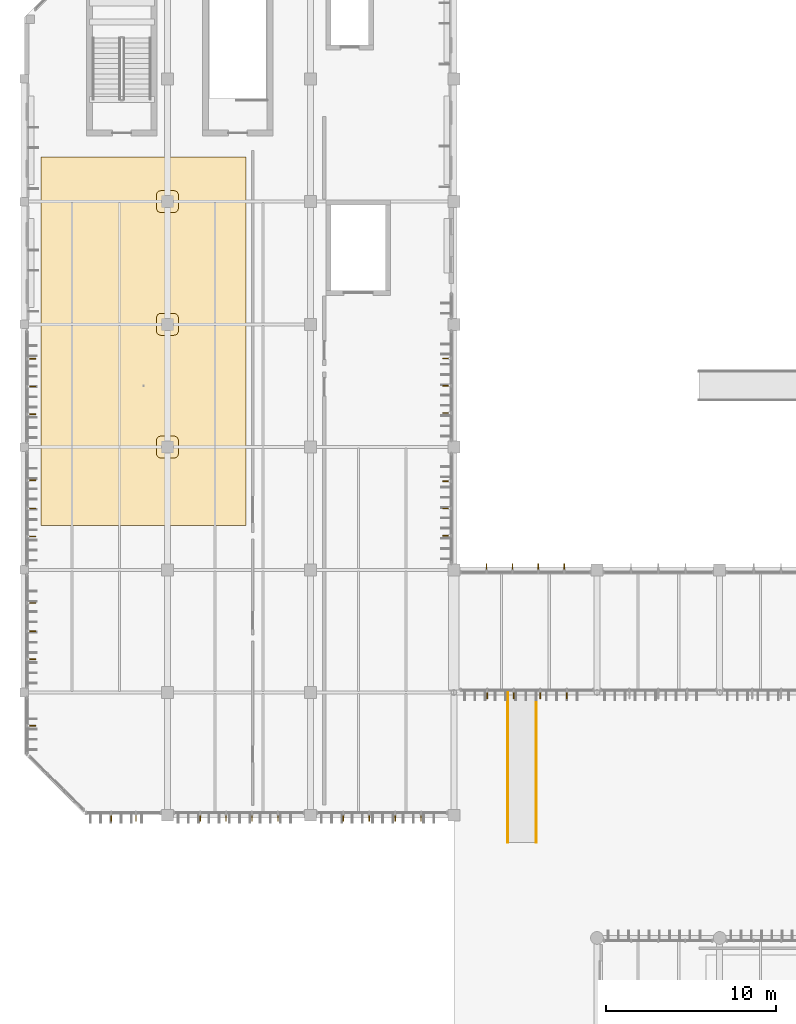
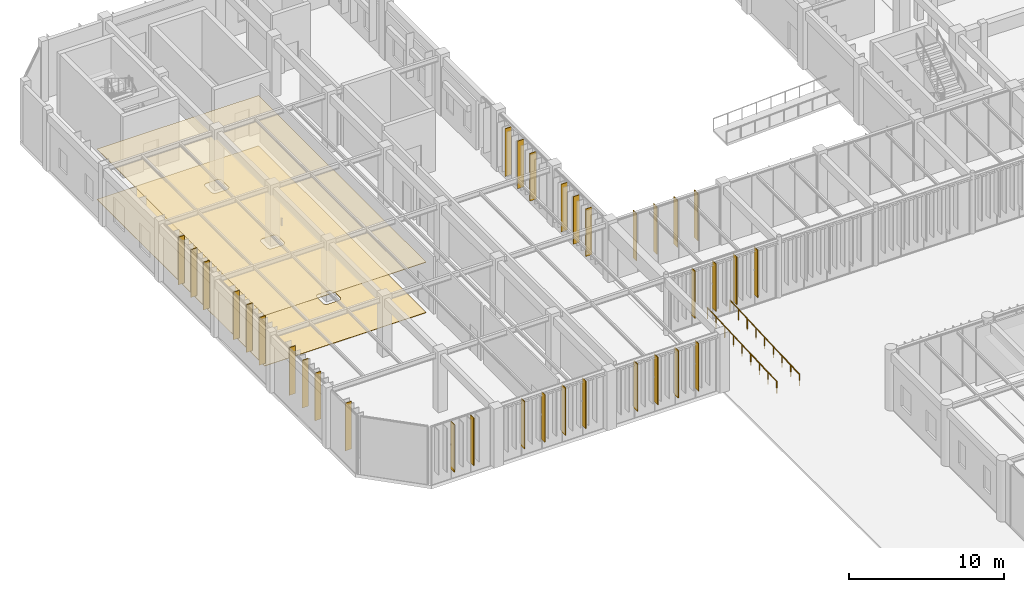
# One storey, part 107 of 122: 34 shading devices, 2 coverings, 2 railings.
"""IFC4 building model written with IfcOpenShell, lengths in metres."""

from ifc_helpers import new_model, si_unit, direction, frame, origin, origin_2d, place, context, subcontext, project, spatial, polyline, rectangle, circle, outline, extrude, material, layer, layer_set, material_profile, profile_set, type_object, element, save


model = new_model("IFC4")

# Units and contexts
model_context = context("Model", 3, precision=1e-05, world=origin(), true_north=direction((0.0, 1.0)))
body_context = subcontext(model_context, "Body", "Model", "MODEL_VIEW")
ifc_project = project(units=[si_unit("LENGTHUNIT", "METRE"), si_unit("AREAUNIT", "SQUARE_METRE"), si_unit("VOLUMEUNIT", "CUBIC_METRE"), si_unit("PLANEANGLEUNIT", "RADIAN"), si_unit("MASSUNIT", "GRAM", prefix="KILO")], contexts=[model_context])

# Site, building, storey
site_placement = place(None, origin())
site = spatial("IfcSite", under=ifc_project, at=site_placement, CompositionType="ELEMENT")
building_placement = place(site_placement, origin())
building = spatial("IfcBuilding", under=site, at=building_placement, Name="Tazoul Stagehouse", CompositionType="ELEMENT")
storey_placement = place(building_placement, origin())
storey = spatial("IfcBuildingStorey", under=building, at=storey_placement, Name="L00", CompositionType="ELEMENT", Elevation=0.0)

# Shading devices
ifc_material_1 = material(Name="Anodised Bronze Aluminium 6063-T6", Category="aluminium")
ifc_layer_1 = layer(ifc_material_1, 0.050048828125, Name="Anodised Bronze Aluminium 6063-T6")
ifc_layer_set_1 = layer_set([ifc_layer_1], Name="Anodised Bronze Aluminium 6063-T6")
shading_device_type_1 = type_object("IfcShadingDeviceType", Name="Angled Acoustic Sun-Screen Blade 460", PredefinedType="USERDEFINED", material=ifc_layer_set_1)
for number, where, z_axis, x_axis, name in (
    (1, (7.5, 37.27001953125, 0.75), (0.0, 0.0, 1.0), (1.0, 0.0, 0.0), "Shading Louvre FIN-02 CW-V6-S-L00-B1-SHD01"),
    (2, (12.719970703125, 37.27001953125, 0.75), (0.0, 0.0, 1.0), (1.0, 0.0, 0.0), "Shading Louvre FIN-02 CW-V6-S-L00-B2-SHD01"),
    (3, (15.760009765625, 37.27001953125, 0.75), (0.0, 0.0, 1.0), (1.0, 0.0, 0.0), "Shading Louvre FIN-02 CW-V6-S-L00-B2-SHD03"),
    (4, (21.1201171875, 37.27001953125, 0.75), (0.0, 0.0, 1.0), (1.0, 0.0, 0.0), "Shading Louvre FIN-02 CW-V6-S-L00-B3-SHD01"),
    (5, (24.159912109375, 37.27001953125, 0.75), (0.0, 0.0, 1.0), (1.0, 0.0, 0.0), "Shading Louvre FIN-02 CW-V6-S-L00-B3-SHD03"),
    (6, (2.830078125, 42.64990234375, 0.75), (0.0, 0.0, 1.0), (0.0, 1.0, 0.0), "Shading Louvre FIN-02 CW-V6-W1-L00-B1-SHD01"),
    (7, (2.830078125, 46.550048828125, 0.75), (0.0, 0.0, 1.0), (0.0, 1.0, 0.0), "Shading Louvre FIN-02 CW-V6-W1-L00-B2-SHD01"),
    (8, (2.830078125, 49.85009765625, 0.75), (0.0, 0.0, 1.0), (0.0, 1.0, 0.0), "Shading Louvre FIN-02 CW-V6-W1-L00-B2-SHD03"),
    (9, (2.830078125, 53.75, 0.75), (0.0, 0.0, 1.0), (0.0, 1.0, 0.0), "Shading Louvre FIN-02 CW-V6-W1-L00-B3-SHD01"),
    (10, (2.830078125, 57.050048828125, 0.75), (0.0, 0.0, 1.0), (0.0, 1.0, 0.0), "Shading Louvre FIN-02 CW-V6-W1-L00-B3-SHD03"),
    (11, (2.830078125, 60.925048828125, 0.75), (0.0, 0.0, 1.0), (0.0, 1.0, 0.0), "Shading Louvre FIN-02 CW-V6-W1-L00-B4-SHD01"),
    (12, (2.830078125, 64.175048828125, 0.75), (0.0, 0.0, 1.0), (0.0, 1.0, 0.0), "Shading Louvre FIN-02 CW-V6-W1-L00-B4-SHD03"),
    (13, (27.169921875, 53.800048828125, 0.75), (0.0, 0.0, 1.0), (0.0, 1.0, 0.0), "Shading Louvre FIN-02 CW-V6-E1-L00-B1-SHD01"),
    (14, (27.169921875, 57.0, 0.75), (0.0, 0.0, 1.0), (0.0, 1.0, 0.0), "Shading Louvre FIN-02 CW-V6-E1-L00-B1-SHD03"),
    (15, (27.169921875, 61.0, 0.75), (0.0, 0.0, 1.0), (0.0, 1.0, 0.0), "Shading Louvre FIN-02 CW-V6-E1-L00-B2-SHD01"),
    (16, (27.169921875, 64.199951171875, 0.75), (0.0, 0.0, 1.0), (0.0, 1.0, 0.0), "Shading Louvre FIN-02 CW-V6-E1-L00-B2-SHD03"),
    (17, (29.5576171875, 44.469970703125, 0.75), (0.0, 0.0, 1.0), (1.0, 0.0, 0.0), "Shading Louvre FIN-02 CW-WLNK-S-L00-B1-SHD01"),
    (18, (32.6728515625, 44.469970703125, 0.75), (0.0, 0.0, 1.0), (1.0, 0.0, 0.0), "Shading Louvre FIN-02 CW-WLNK-S-L00-B1-SHD03"),
    (19, (29.52001953125, 51.929931640625, 0.75), (0.0, 0.0, 1.0), (1.0, 0.0, 0.0), "Shading Louvre FIN-02 CW-WLNK-N-L00-B1-SHD01"),
    (20, (32.56005859375, 51.929931640625, 0.75), (0.0, 0.0, 1.0), (1.0, 0.0, 0.0), "Shading Louvre FIN-02 CW-WLNK-N-L00-B1-SHD03"),
):
    element("IfcShadingDevice", number, at=place(storey_placement, frame(where, z_axis=z_axis, x_axis=x_axis)), inside=storey, type_object=shading_device_type_1, Name=name, ObjectType="FIN", PredefinedType="USERDEFINED", context=body_context, shape_type="SweptSolid", body=[
        extrude(rectangle(XDim=0.044921875, YDim=0.4599609375, at=origin_2d()), origin(), (0.0, 0.0, 1.0), 3.75),
    ])

# Railings
ifc_material_2 = material(Name="Brushed Stainless Steel 316L", Category="steel")
ifc_material_profile = material_profile(ifc_material_2, circle(Radius=0.02099609375, at=origin_2d()), Name="SS HANDRAIL D42")
ifc_profile_set = profile_set([ifc_material_profile], Name="Brushed Stainless Steel 316L")
railing_type = type_object("IfcRailingType", Name="Exterior Ramp Handrail H920", PredefinedType="HANDRAIL", material=ifc_profile_set)
for number, where, name in (
    (21, (30.760009765625, 35.800048828125, -0.419921875), "West Plaza Accessible Entrance Ramp Handrail L"),
    (22, (32.43994140625, 35.800048828125, -0.419921875), "West Plaza Accessible Entrance Ramp Handrail R"),
):
    element("IfcRailing", number, at=place(storey_placement, frame(where)), inside=storey, type_object=railing_type, Name=name, PredefinedType="HANDRAIL", context=body_context, shape_type="SweptSolid", body=[
        extrude(circle(Radius=0.02392578125, at=origin_2d()), frame((0.0, 0.0, 0.89599609375), z_axis=(0.0, 0.99890112231, 0.046867343091), x_axis=(-1.0, 0.0, 0.0)), (0.0, 0.0, 1.0), 8.959716796875),
        extrude(circle(Radius=0.02099609375, at=origin_2d()), origin(), (0.0, 0.0, 1.0), 0.871826171875),
        extrude(circle(Radius=0.02099609375, at=origin_2d()), frame((0.0, 1.11865234375, 0.052490234375)), (0.0, 0.0, 1.0), 0.871826171875),
        extrude(circle(Radius=0.02099609375, at=origin_2d()), frame((0.0, 2.237548828125, 0.10498046875)), (0.0, 0.0, 1.0), 0.871826171875),
        extrude(circle(Radius=0.02099609375, at=origin_2d()), frame((0.0, 3.356201171875, 0.157470703125)), (0.0, 0.0, 1.0), 0.871826171875),
        extrude(circle(Radius=0.02099609375, at=origin_2d()), frame((0.0, 4.47509765625, 0.2099609375)), (0.0, 0.0, 1.0), 0.871826171875),
        extrude(circle(Radius=0.02099609375, at=origin_2d()), frame((0.0, 5.59375, 0.262451171875)), (0.0, 0.0, 1.0), 0.871826171875),
        extrude(circle(Radius=0.02099609375, at=origin_2d()), frame((0.0, 6.71240234375, 0.31494140625)), (0.0, 0.0, 1.0), 0.871826171875),
        extrude(circle(Radius=0.02099609375, at=origin_2d()), frame((0.0, 7.831298828125, 0.367431640625)), (0.0, 0.0, 1.0), 0.871826171875),
        extrude(circle(Radius=0.02099609375, at=origin_2d()), frame((0.0, 8.949951171875, 0.419921875)), (0.0, 0.0, 1.0), 0.871826171875),
    ])

# Coverings
ifc_material_3 = material(Name="Gypsum Acoustic Partition", Category="gypsum")
ifc_layer_2 = layer(ifc_material_3, 0.034912109375, Name="Gypsum Acoustic Partition")
ifc_layer_set_2 = layer_set([ifc_layer_2], Name="Gypsum Acoustic Partition")
covering_type_1 = type_object("IfcCoveringType", Name="Gypsum Acoustic Foyer Suspended Ceiling 35", PredefinedType="CEILING", material=ifc_layer_set_2)
covering_1_placement = place(storey_placement, frame((0.0, 0.0, 3.955078125)))
element("IfcCovering", 23, at=covering_1_placement, inside=storey, type_object=covering_type_1, Name="L00 Experimental Exhibition Hall Suspended Ceiling", PredefinedType="CEILING", context=body_context, shape_type="SweptSolid", body=[
    extrude(outline(polyline([(15.409912109375, 76.010009765625), (15.409912109375, 54.389892578125), (3.389892578125, 54.389892578125), (3.389892578125, 76.010009765625), (15.409912109375, 76.010009765625)])), origin(), (0.0, 0.0, 1.0), 0.034912109375),
])
ifc_material_4 = material(Name="Honed Rabat Calcarenite Stone", Category="masonry")
ifc_layer_3 = layer(ifc_material_4, 0.030029296875, Name="Honed Rabat Calcarenite Stone")
ifc_layer_set_3 = layer_set([ifc_layer_3], Name="Honed Rabat Calcarenite Stone")
covering_type_2 = type_object("IfcCoveringType", Name="Honed Rabat Limestone Foyer Flooring 30", PredefinedType="FLOORING", material=ifc_layer_set_3)
covering_2_placement = place(storey_placement, origin())
element("IfcCovering", 24, at=covering_2_placement, inside=storey, type_object=covering_type_2, Name="L00 Experimental Exhibition Hall Flooring", PredefinedType="FLOORING", context=body_context, shape_type="SweptSolid", body=[
    extrude(outline(polyline([(15.409912109375, 76.010009765625), (15.409912109375, 54.389892578125), (3.389892578125, 54.389892578125), (3.389892578125, 76.010009765625), (15.409912109375, 76.010009765625)]), holes=[polyline([(10.385498046875, 66.8388671875), (10.361083984375, 66.835205078125), (10.33740234375, 66.8291015625), (10.314208984375, 66.821044921875), (10.292236328125, 66.810546875), (10.27099609375, 66.7978515625), (10.25146484375, 66.783203125), (10.233154296875, 66.766845703125), (10.216796875, 66.74853515625), (10.2021484375, 66.72900390625), (10.189453125, 66.707763671875), (10.178955078125, 66.685791015625), (10.1708984375, 66.66259765625), (10.164794921875, 66.638916015625), (10.1611328125, 66.614501953125), (10.159912109375, 66.590087890625), (10.159912109375, 65.81005859375), (10.1611328125, 65.785400390625), (10.164794921875, 65.76123046875), (10.1708984375, 65.7373046875), (10.178955078125, 65.71435546875), (10.189453125, 65.692138671875), (10.2021484375, 65.671142578125), (10.216796875, 65.6513671875), (10.233154296875, 65.63330078125), (10.25146484375, 65.61669921875), (10.27099609375, 65.60205078125), (10.292236328125, 65.589599609375), (10.314208984375, 65.5791015625), (10.33740234375, 65.57080078125), (10.361083984375, 65.564697265625), (10.385498046875, 65.561279296875), (10.409912109375, 65.56005859375), (11.18994140625, 65.56005859375), (11.214599609375, 65.561279296875), (11.23876953125, 65.564697265625), (11.2626953125, 65.57080078125), (11.28564453125, 65.5791015625), (11.307861328125, 65.589599609375), (11.328857421875, 65.60205078125), (11.3486328125, 65.61669921875), (11.36669921875, 65.63330078125), (11.38330078125, 65.6513671875), (11.39794921875, 65.671142578125), (11.410400390625, 65.692138671875), (11.4208984375, 65.71435546875), (11.42919921875, 65.7373046875), (11.435302734375, 65.76123046875), (11.438720703125, 65.785400390625), (11.43994140625, 65.81005859375), (11.43994140625, 66.590087890625), (11.438720703125, 66.614501953125), (11.435302734375, 66.638916015625), (11.42919921875, 66.66259765625), (11.4208984375, 66.685791015625), (11.410400390625, 66.707763671875), (11.39794921875, 66.72900390625), (11.38330078125, 66.74853515625), (11.36669921875, 66.766845703125), (11.3486328125, 66.783203125), (11.328857421875, 66.7978515625), (11.307861328125, 66.810546875), (11.28564453125, 66.821044921875), (11.2626953125, 66.8291015625), (11.23876953125, 66.835205078125), (11.214599609375, 66.8388671875), (11.18994140625, 66.840087890625), (10.409912109375, 66.840087890625), (10.385498046875, 66.8388671875)]), polyline([(11.438720703125, 59.41455078125), (11.435302734375, 59.438720703125), (11.42919921875, 59.462646484375), (11.4208984375, 59.485595703125), (11.410400390625, 59.5078125), (11.39794921875, 59.52880859375), (11.38330078125, 59.548583984375), (11.36669921875, 59.56689453125), (11.3486328125, 59.583251953125), (11.328857421875, 59.597900390625), (11.307861328125, 59.610595703125), (11.28564453125, 59.62109375), (11.2626953125, 59.629150390625), (11.23876953125, 59.63525390625), (11.214599609375, 59.638916015625), (11.18994140625, 59.639892578125), (10.409912109375, 59.639892578125), (10.385498046875, 59.638916015625), (10.361083984375, 59.63525390625), (10.33740234375, 59.629150390625), (10.314208984375, 59.62109375), (10.292236328125, 59.610595703125), (10.27099609375, 59.597900390625), (10.25146484375, 59.583251953125), (10.233154296875, 59.56689453125), (10.216796875, 59.548583984375), (10.2021484375, 59.52880859375), (10.189453125, 59.5078125), (10.178955078125, 59.485595703125), (10.1708984375, 59.462646484375), (10.164794921875, 59.438720703125), (10.1611328125, 59.41455078125), (10.159912109375, 59.389892578125), (10.159912109375, 58.610107421875), (10.1611328125, 58.58544921875), (10.164794921875, 58.561279296875), (10.1708984375, 58.537353515625), (10.178955078125, 58.514404296875), (10.189453125, 58.4921875), (10.2021484375, 58.47119140625), (10.216796875, 58.451416015625), (10.233154296875, 58.43310546875), (10.25146484375, 58.416748046875), (10.27099609375, 58.402099609375), (10.292236328125, 58.389404296875), (10.314208984375, 58.37890625), (10.33740234375, 58.370849609375), (10.361083984375, 58.36474609375), (10.385498046875, 58.361083984375), (10.409912109375, 58.360107421875), (11.18994140625, 58.360107421875), (11.214599609375, 58.361083984375), (11.23876953125, 58.36474609375), (11.2626953125, 58.370849609375), (11.28564453125, 58.37890625), (11.307861328125, 58.389404296875), (11.328857421875, 58.402099609375), (11.3486328125, 58.416748046875), (11.36669921875, 58.43310546875), (11.38330078125, 58.451416015625), (11.39794921875, 58.47119140625), (11.410400390625, 58.4921875), (11.4208984375, 58.514404296875), (11.42919921875, 58.537353515625), (11.435302734375, 58.561279296875), (11.438720703125, 58.58544921875), (11.43994140625, 58.610107421875), (11.43994140625, 59.389892578125), (11.438720703125, 59.41455078125)]), polyline([(11.438720703125, 73.814453125), (11.435302734375, 73.8388671875), (11.42919921875, 73.862548828125), (11.4208984375, 73.8857421875), (11.410400390625, 73.90771484375), (11.39794921875, 73.928955078125), (11.38330078125, 73.948486328125), (11.36669921875, 73.966796875), (11.3486328125, 73.9833984375), (11.328857421875, 73.997802734375), (11.307861328125, 74.010498046875), (11.28564453125, 74.02099609375), (11.2626953125, 74.029296875), (11.23876953125, 74.03515625), (11.214599609375, 74.038818359375), (11.18994140625, 74.0400390625), (10.409912109375, 74.0400390625), (10.385498046875, 74.038818359375), (10.361083984375, 74.03515625), (10.33740234375, 74.029296875), (10.314208984375, 74.02099609375), (10.292236328125, 74.010498046875), (10.27099609375, 73.997802734375), (10.25146484375, 73.9833984375), (10.233154296875, 73.966796875), (10.216796875, 73.948486328125), (10.2021484375, 73.928955078125), (10.189453125, 73.90771484375), (10.178955078125, 73.8857421875), (10.1708984375, 73.862548828125), (10.164794921875, 73.8388671875), (10.1611328125, 73.814453125), (10.159912109375, 73.7900390625), (10.159912109375, 73.010009765625), (10.1611328125, 72.985595703125), (10.164794921875, 72.961181640625), (10.1708984375, 72.9375), (10.178955078125, 72.914306640625), (10.189453125, 72.89208984375), (10.2021484375, 72.87109375), (10.216796875, 72.851318359375), (10.233154296875, 72.833251953125), (10.25146484375, 72.816650390625), (10.27099609375, 72.802001953125), (10.292236328125, 72.78955078125), (10.314208984375, 72.779052734375), (10.33740234375, 72.770751953125), (10.361083984375, 72.764892578125), (10.385498046875, 72.76123046875), (10.409912109375, 72.760009765625), (11.18994140625, 72.760009765625), (11.214599609375, 72.76123046875), (11.23876953125, 72.764892578125), (11.2626953125, 72.770751953125), (11.28564453125, 72.779052734375), (11.307861328125, 72.78955078125), (11.328857421875, 72.802001953125), (11.3486328125, 72.816650390625), (11.36669921875, 72.833251953125), (11.38330078125, 72.851318359375), (11.39794921875, 72.87109375), (11.410400390625, 72.89208984375), (11.4208984375, 72.914306640625), (11.42919921875, 72.9375), (11.435302734375, 72.961181640625), (11.438720703125, 72.985595703125), (11.43994140625, 73.010009765625), (11.43994140625, 73.7900390625), (11.438720703125, 73.814453125)])]), origin(), (0.0, 0.0, 1.0), 0.030029296875),
])

# Shading devices
ifc_layer_4 = layer(ifc_material_1, 0.044921875, Name="Anodised Bronze Aluminium 6063-T6")
ifc_layer_set_4 = layer_set([ifc_layer_4], Name="Anodised Bronze Aluminium 6063-T6")
shading_device_type_2 = type_object("IfcShadingDeviceType", Name="Vertical Extruded Terracotta-Bronze Louvre 460", PredefinedType="JALOUSIE", material=ifc_layer_set_4)
for number, where, z_axis, x_axis, name in (
    (25, (8.949951171875, 37.27001953125, 0.75), (0.0, 0.0, 1.0), (1.0, 0.0, 0.0), "Shading Louvre FIN-01 CW-V6-S-L00-B1-SHD02"),
    (26, (14.239990234375, 37.27001953125, 0.75), (0.0, 0.0, 1.0), (1.0, 0.0, 0.0), "Shading Louvre FIN-01 CW-V6-S-L00-B2-SHD02"),
    (27, (17.280029296875, 37.27001953125, 0.75), (0.0, 0.0, 1.0), (1.0, 0.0, 0.0), "Shading Louvre FIN-01 CW-V6-S-L00-B2-SHD04"),
    (28, (22.639892578125, 37.27001953125, 0.75), (0.0, 0.0, 1.0), (1.0, 0.0, 0.0), "Shading Louvre FIN-01 CW-V6-S-L00-B3-SHD02"),
    (29, (25.679931640625, 37.27001953125, 0.75), (0.0, 0.0, 1.0), (1.0, 0.0, 0.0), "Shading Louvre FIN-01 CW-V6-S-L00-B3-SHD04"),
    (30, (2.830078125, 48.199951171875, 0.75), (0.0, 0.0, 1.0), (0.0, 1.0, 0.0), "Shading Louvre FIN-01 CW-V6-W1-L00-B2-SHD02"),
    (31, (2.830078125, 55.39990234375, 0.75), (0.0, 0.0, 1.0), (0.0, 1.0, 0.0), "Shading Louvre FIN-01 CW-V6-W1-L00-B3-SHD02"),
    (32, (2.830078125, 62.550048828125, 0.75), (0.0, 0.0, 1.0), (0.0, 1.0, 0.0), "Shading Louvre FIN-01 CW-V6-W1-L00-B4-SHD02"),
    (33, (27.169921875, 55.39990234375, 0.75), (0.0, 0.0, 1.0), (0.0, 1.0, 0.0), "Shading Louvre FIN-01 CW-V6-E1-L00-B1-SHD02"),
    (34, (27.169921875, 62.60009765625, 0.75), (0.0, 0.0, 1.0), (0.0, 1.0, 0.0), "Shading Louvre FIN-01 CW-V6-E1-L00-B2-SHD02"),
    (35, (31.115234375, 44.469970703125, 0.75), (0.0, 0.0, 1.0), (1.0, 0.0, 0.0), "Shading Louvre FIN-01 CW-WLNK-S-L00-B1-SHD02"),
    (36, (34.23046875, 44.469970703125, 0.75), (0.0, 0.0, 1.0), (1.0, 0.0, 0.0), "Shading Louvre FIN-01 CW-WLNK-S-L00-B1-SHD04"),
    (37, (31.0400390625, 51.929931640625, 0.75), (0.0, 0.0, 1.0), (1.0, 0.0, 0.0), "Shading Louvre FIN-01 CW-WLNK-N-L00-B1-SHD02"),
    (38, (34.080078125, 51.929931640625, 0.75), (0.0, 0.0, 1.0), (1.0, 0.0, 0.0), "Shading Louvre FIN-01 CW-WLNK-N-L00-B1-SHD04"),
):
    element("IfcShadingDevice", number, at=place(storey_placement, frame(where, z_axis=z_axis, x_axis=x_axis)), inside=storey, type_object=shading_device_type_2, Name=name, PredefinedType="JALOUSIE", context=body_context, shape_type="SweptSolid", body=[
        extrude(rectangle(XDim=0.044921875, YDim=0.4599609375, at=origin_2d()), origin(), (0.0, 0.0, 1.0), 3.75),
    ])

save(model, "model.ifc")
